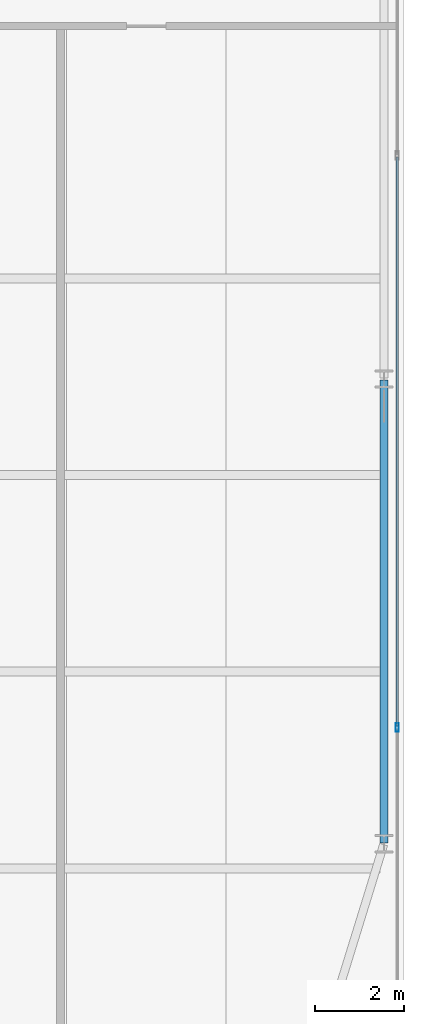
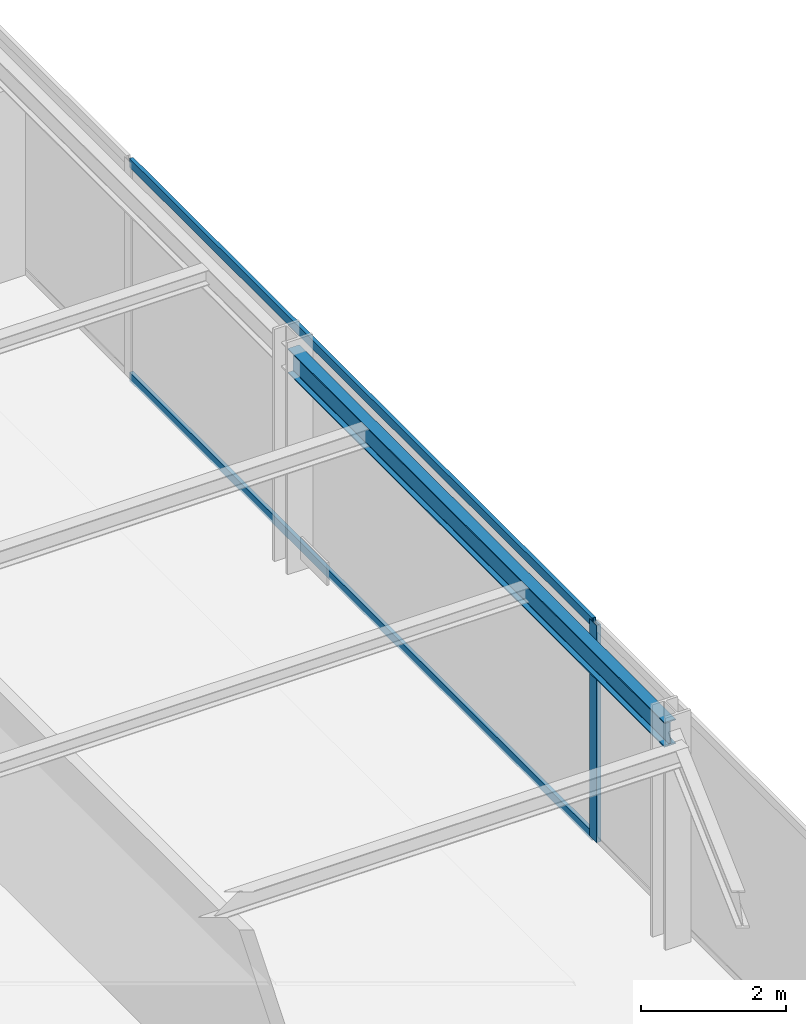
# One storey, part 18 of 32: 3 members, 1 beam, 1 element without a shape of its own.
"""IFC4 building model written with IfcOpenShell, lengths in metres."""

from ifc_helpers import new_model, si_unit, direction, frame, origin, origin_2d, place, context, subcontext, project, spatial, hollow_rectangle, i_section, extrude, source, transform, mapped, material, layer, layer_set, material_profile, profile_set, type_object, type_shapes, element, aggregate, save


model = new_model("IFC4")

# Units and contexts
model_context = context("Model", 3, precision=1e-05, world=origin(), true_north=direction((0.0, 1.0)))
body_context = subcontext(model_context, "Body", "Model", "MODEL_VIEW")
ifc_project = project(units=[si_unit("LENGTHUNIT", "METRE"), si_unit("AREAUNIT", "SQUARE_METRE"), si_unit("VOLUMEUNIT", "CUBIC_METRE"), si_unit("PLANEANGLEUNIT", "RADIAN"), si_unit("MASSUNIT", "GRAM", prefix="KILO")], contexts=[model_context])

# Site, building, storey
site_placement = place(None, origin())
site = spatial("IfcSite", under=ifc_project, at=site_placement, CompositionType="ELEMENT")
building_placement = place(site_placement, origin())
building = spatial("IfcBuilding", under=site, at=building_placement, Name="Varnel Quay Broadcast Tower", CompositionType="ELEMENT")
storey_placement = place(building_placement, frame((0.0, 0.0, 70.5)))
storey = spatial("IfcBuildingStorey", under=building, at=storey_placement, Name="L16", CompositionType="ELEMENT", Elevation=70.5)

# Beam
ifc_material_1 = material(Name="Structural Steel CSA G40.21 350W", Category="steel")
ifc_material_profile_1 = material_profile(ifc_material_1, i_section(OverallWidth=0.180908203125, OverallDepth=0.4169921875, WebThickness=0.010986328125, FlangeThickness=0.018310546875, FilletRadius=0.011962890625, at=origin_2d()), Name="W410X85")
ifc_profile_set_1 = profile_set([ifc_material_profile_1], Name="Structural Steel CSA G40.21 350W")
beam_type = type_object("IfcBeamType", Name="Beam_W410X85", PredefinedType="SPANDREL", material=ifc_profile_set_1)
shared_shape_1 = source(origin(), body_context, "Body", "SweptSolid", [
    extrude(i_section(OverallWidth=0.180908203125, OverallDepth=0.4169921875, WebThickness=0.010986328125, FlangeThickness=0.018310546875, FilletRadius=0.011962890625, at=origin_2d()), origin(), (0.0, 0.0, 1.0), 10.35986328125),
])
type_shapes(beam_type, [shared_shape_1])
beam_placement = place(storey_placement, frame((65.550048828125, 15.02001953125, 3.44140625), z_axis=(0.0, 1.0, 0.0), x_axis=(-1.0, 0.0, 0.0)))
element("IfcBeam", 1, at=beam_placement, inside=storey, type_object=beam_type, Name="L16 East Spandrel TC-E1-TC-E2", PredefinedType="SPANDREL", context=body_context, shape_type="MappedRepresentation", body=[
    mapped(shared_shape_1, transform((0.0, 0.0, 0.0), x_axis=(1.0, 0.0, 0.0), y_axis=(0.0, 1.0, 0.0), z_axis=(0.0, 0.0, 1.0), scale=1.0)),
])

# Curtain wall, members
ifc_material_2 = material(Name="Anodised Bronze Aluminium 6063-T6", Category="aluminium")
ifc_layer = layer(ifc_material_2, 0.18994140625, Name="Anodised Bronze Aluminium 6063-T6")
ifc_layer_set = layer_set([ifc_layer], Name="Anodised Bronze Aluminium 6063-T6")
curtain_wall_type = type_object("IfcCurtainWallType", Name="CW_LowerTower", PredefinedType="NOTDEFINED", material=ifc_layer_set)
curtain_wall_placement = place(storey_placement, origin())
curtain_wall = element("IfcCurtainWall", 2, at=curtain_wall_placement, inside=storey, type_object=curtain_wall_type, Name="L16 East Unitised Curtain Wall", PredefinedType="NOTDEFINED")
ifc_material_profile_2 = material_profile(ifc_material_2, hollow_rectangle(XDim=0.070068359375, YDim=0.18994140625, WallThickness=0.00390625, at=origin_2d()), Name="ALU70X190X4")
ifc_profile_set_2 = profile_set([ifc_material_profile_2], Name="Anodised Bronze Aluminium 6063-T6")
member_type_1 = type_object("IfcMemberType", Name="Mull_CWS-02", PredefinedType="MULLION", material=ifc_profile_set_2)
shared_shape_2 = source(origin(), body_context, "Body", "SweptSolid", [
    extrude(hollow_rectangle(XDim=0.070068359375, YDim=0.18994140625, WallThickness=0.00390625, at=origin_2d()), origin(), (0.0, 0.0, 1.0), 3.64990234375),
])
type_shapes(member_type_1, [shared_shape_2])
member_1_placement = place(storey_placement, frame((65.85009765625, 17.60009765625, 0.0), z_axis=(0.0, 0.0, 1.0), x_axis=(-1.0, 0.0, 0.0)))
member_1 = element("IfcMember", 3, at=member_1_placement, type_object=member_type_1, Name="CWS-02 mullion 2", PredefinedType="MULLION", context=body_context, shape_type="MappedRepresentation", body=[
    mapped(shared_shape_2, transform((0.0, 0.0, 0.0), x_axis=(1.0, 0.0, 0.0), y_axis=(0.0, 1.0, 0.0), z_axis=(0.0, 0.0, 1.0), scale=1.0)),
])
ifc_material_profile_3 = material_profile(ifc_material_2, hollow_rectangle(XDim=0.06005859375, YDim=0.14501953125, WallThickness=0.00341796875, at=origin_2d()), Name="ALU60X145X3.5")
ifc_profile_set_3 = profile_set([ifc_material_profile_3], Name="Anodised Bronze Aluminium 6063-T6")
member_type_2 = type_object("IfcMemberType", Name="Tran_CWS-02", PredefinedType="USERDEFINED", material=ifc_profile_set_3)
shared_shape_3 = source(origin(), body_context, "Body", "SweptSolid", [
    extrude(hollow_rectangle(XDim=0.06005859375, YDim=0.14501953125, WallThickness=0.00341796875, at=origin_2d()), origin(), (0.0, 0.0, 1.0), 12.72998046875),
])
type_shapes(member_type_2, [shared_shape_3])
member_2_placement = place(storey_placement, frame((65.85009765625, 17.635009765625, 0.030029296875), z_axis=(0.0, 1.0, 0.0), x_axis=(-1.0, 0.0, 0.0)))
member_2 = element("IfcMember", 4, at=member_2_placement, type_object=member_type_2, Name="CWS-02 transom 2.1", ObjectType="TRANSOM", PredefinedType="USERDEFINED", context=body_context, shape_type="MappedRepresentation", body=[
    mapped(shared_shape_3, transform((0.0, 0.0, 0.0), x_axis=(1.0, 0.0, 0.0), y_axis=(0.0, 1.0, 0.0), z_axis=(0.0, 0.0, 1.0), scale=1.0)),
])
member_3_placement = place(storey_placement, frame((65.85009765625, 17.635009765625, 3.6201171875), z_axis=(0.0, 1.0, 0.0), x_axis=(-1.0, 0.0, 0.0)))
member_3 = element("IfcMember", 5, at=member_3_placement, type_object=member_type_2, Name="CWS-02 transom 2.2", ObjectType="TRANSOM", PredefinedType="USERDEFINED", context=body_context, shape_type="MappedRepresentation", body=[
    mapped(shared_shape_3, transform((0.0, 0.0, 0.0), x_axis=(1.0, 0.0, 0.0), y_axis=(0.0, 1.0, 0.0), z_axis=(0.0, 0.0, 1.0), scale=1.0)),
])
aggregate(curtain_wall, [member_1, member_2, member_3])

save(model, "model.ifc")
